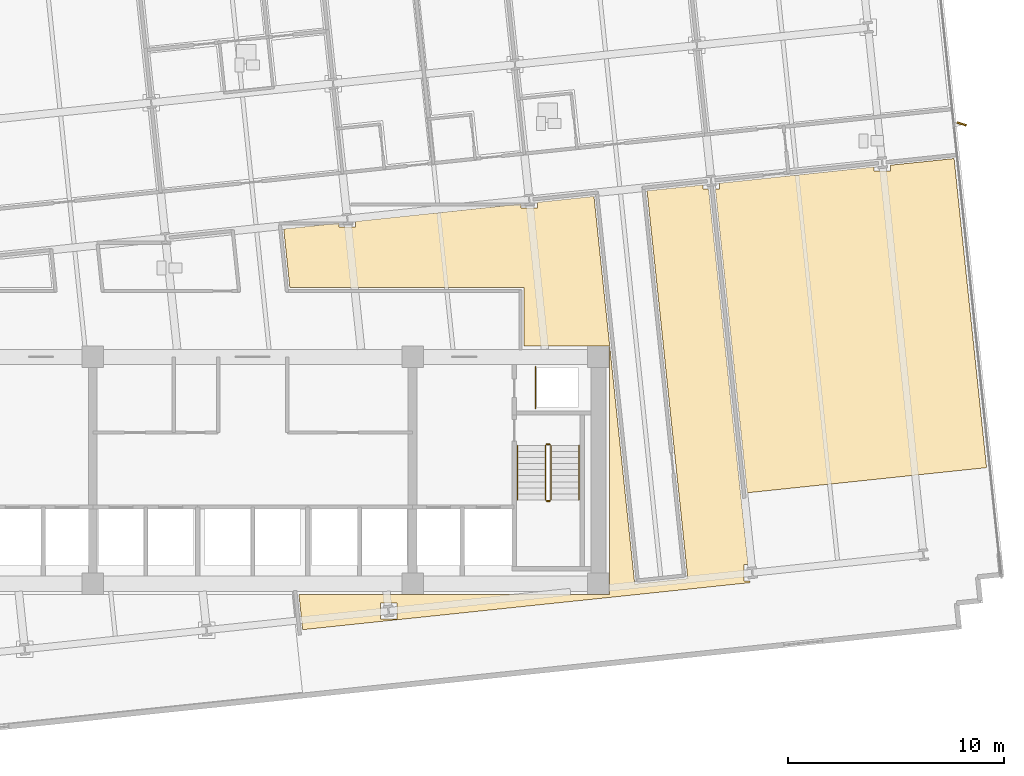
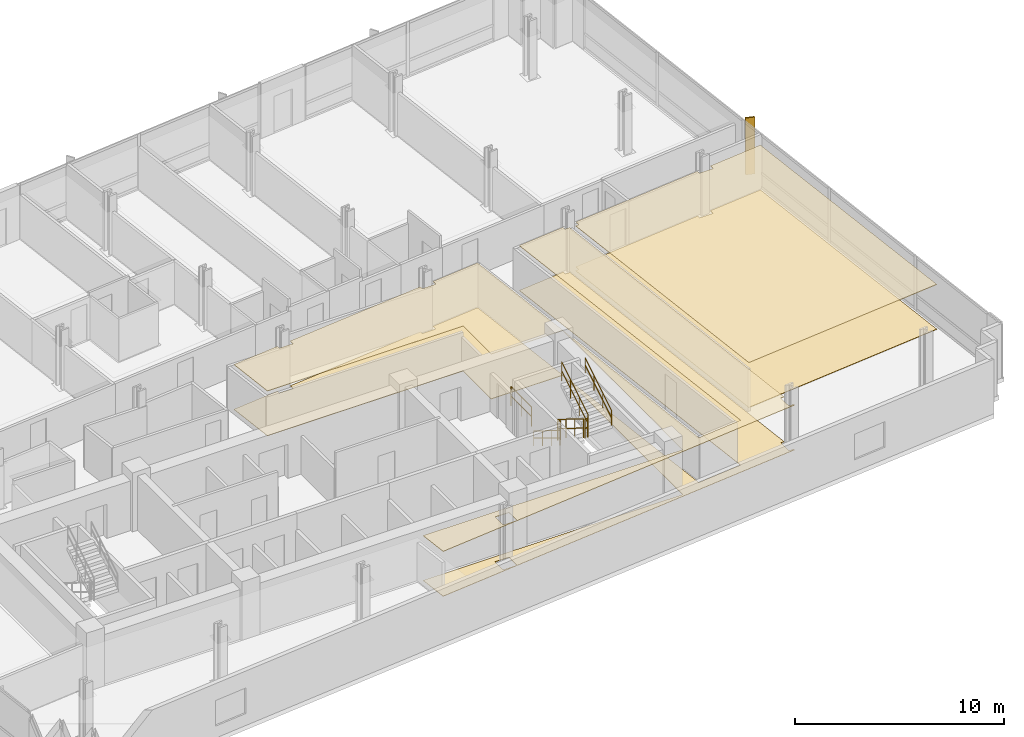
# One storey, part 15 of 17: 7 railings, 4 coverings, 1 shading device.
"""IFC4 building model written with IfcOpenShell, lengths in metres."""

from ifc_helpers import new_model, si_unit, direction, frame, origin, origin_2d, place, context, subcontext, project, spatial, polyline, rectangle, circle, outline, extrude, material, layer, layer_set, type_object, element, save


model = new_model("IFC4")

# Units and contexts
model_context = context("Model", 3, precision=1e-05, world=origin(), true_north=direction((0.0, 1.0)))
body_context = subcontext(model_context, "Body", "Model", "MODEL_VIEW")
ifc_project = project(units=[si_unit("LENGTHUNIT", "METRE"), si_unit("AREAUNIT", "SQUARE_METRE"), si_unit("VOLUMEUNIT", "CUBIC_METRE"), si_unit("PLANEANGLEUNIT", "RADIAN"), si_unit("MASSUNIT", "GRAM", prefix="KILO")], contexts=[model_context])

# Site, building, storey
site_placement = place(None, origin())
site = spatial("IfcSite", under=ifc_project, at=site_placement, CompositionType="ELEMENT")
building_placement = place(site_placement, origin())
building = spatial("IfcBuilding", under=site, at=building_placement, Name="Solmavex Isthmus Hotel", CompositionType="ELEMENT")
storey_placement = place(building_placement, frame((0.0, 0.0, 90.449951171875)))
storey = spatial("IfcBuildingStorey", under=building, at=storey_placement, Name="L24", CompositionType="ELEMENT", Elevation=90.449951171875)

# Coverings
ifc_material_1 = material(Name="Gypsum plasterboard lining", Category="gypsum")
ifc_layer_1 = layer(ifc_material_1, 0.030029296875)
ifc_layer_set_1 = layer_set([ifc_layer_1], Name="Gypsum plasterboard lining")
covering_type_1 = type_object("IfcCoveringType", Name="COV-CEIL-GYP", PredefinedType="CEILING", material=ifc_layer_set_1)
covering_1_placement = place(storey_placement, frame((0.0, 0.0, 2.6201171875)))
element("IfcCovering", 1, at=covering_1_placement, inside=storey, type_object=covering_type_1, Name="Suspended Acoustic Ceiling L24-FL12", PredefinedType="CEILING", context=body_context, shape_type="SweptSolid", body=[
    extrude(outline(polyline([(4.760498046875, 3.7724609375), (4.760498046875, 3.508544921875), (4.00048828125, 3.508544921875), (4.00048828125, 3.692626953125), (1.43505859375, 3.423095703125), (1.720703125, 0.705078125), (12.554931640625, 0.705078125), (12.554931640625, -1.9951171875), (16.5048828125, -1.9951171875), (16.5048828125, -13.5048828125), (2.141357421875, -13.5048828125), (2.311767578125, -15.126953125), (23.019775390625, -12.950439453125), (23.011474609375, -12.87158203125), (22.747314453125, -12.87158203125), (22.747314453125, -12.111572265625), (22.931640625, -12.111572265625), (21.103759765625, 5.2783203125), (20.83984375, 5.2783203125), (20.83984375, 5.462646484375), (18.25439453125, 5.19091796875), (20.14111328125, -12.76025390625), (17.6845703125, -13.0185546875), (15.7978515625, 4.9326171875), (13.18017578125, 4.657470703125), (13.18017578125, 4.393310546875), (12.420166015625, 4.393310546875), (12.420166015625, 4.57763671875), (4.760498046875, 3.7724609375)]), holes=[polyline([(5.908203125, -14.6416015625), (5.908203125, -13.881591796875), (6.668212890625, -13.881591796875), (6.668212890625, -14.6416015625), (5.908203125, -14.6416015625)])]), origin(), (0.0, 0.0, 1.0), 0.030029296875),
])
covering_2_placement = place(storey_placement, frame((0.0, 0.0, 2.6201171875)))
element("IfcCovering", 2, at=covering_2_placement, inside=storey, type_object=covering_type_1, Name="Suspended Acoustic Ceiling L24-FL13", PredefinedType="CEILING", context=body_context, shape_type="SweptSolid", body=[
    extrude(outline(polyline([(29.524169921875, 6.375244140625), (29.524169921875, 6.111328125), (28.76416015625, 6.111328125), (28.76416015625, 6.29541015625), (24.816162109375, 5.880615234375), (21.599609375, 5.54248046875), (21.599609375, 5.2783203125), (21.41552734375, 5.2783203125), (22.894287109375, -8.790771484375), (33.97119140625, -7.62646484375), (32.467041015625, 6.6845703125), (29.524169921875, 6.375244140625)])), origin(), (0.0, 0.0, 1.0), 0.030029296875),
])
ifc_material_2 = material(Name="Travertine natural stone", Category="masonry")
ifc_layer_2 = layer(ifc_material_2, 0.02490234375)
ifc_layer_set_2 = layer_set([ifc_layer_2], Name="Travertine natural stone")
covering_type_2 = type_object("IfcCoveringType", Name="COV-FLOR-STN", PredefinedType="FLOORING", material=ifc_layer_set_2)
covering_3_placement = place(storey_placement, origin())
element("IfcCovering", 3, at=covering_3_placement, inside=storey, type_object=covering_type_2, Name="Stone and Timber Floor Finish L24-FL12", PredefinedType="FLOORING", context=body_context, shape_type="SweptSolid", body=[
    extrude(outline(polyline([(4.760498046875, 3.7724609375), (4.760498046875, 3.508544921875), (4.00048828125, 3.508544921875), (4.00048828125, 3.692626953125), (1.43505859375, 3.423095703125), (1.720703125, 0.705078125), (12.554931640625, 0.705078125), (12.554931640625, -1.9951171875), (16.5048828125, -1.9951171875), (16.5048828125, -13.5048828125), (2.141357421875, -13.5048828125), (2.311767578125, -15.126953125), (23.019775390625, -12.950439453125), (23.011474609375, -12.87158203125), (22.747314453125, -12.87158203125), (22.747314453125, -12.111572265625), (22.931640625, -12.111572265625), (21.103759765625, 5.2783203125), (20.83984375, 5.2783203125), (20.83984375, 5.462646484375), (18.25439453125, 5.19091796875), (20.14111328125, -12.76025390625), (17.6845703125, -13.0185546875), (15.7978515625, 4.9326171875), (13.18017578125, 4.657470703125), (13.18017578125, 4.393310546875), (12.420166015625, 4.393310546875), (12.420166015625, 4.57763671875), (4.760498046875, 3.7724609375)]), holes=[polyline([(5.908203125, -14.6416015625), (5.908203125, -13.881591796875), (6.668212890625, -13.881591796875), (6.668212890625, -14.6416015625), (5.908203125, -14.6416015625)])]), origin(), (0.0, 0.0, 1.0), 0.025146484375),
])
covering_4_placement = place(storey_placement, origin())
element("IfcCovering", 4, at=covering_4_placement, inside=storey, type_object=covering_type_2, Name="Stone and Timber Floor Finish L24-FL13", PredefinedType="FLOORING", context=body_context, shape_type="SweptSolid", body=[
    extrude(outline(polyline([(29.524169921875, 6.375244140625), (29.524169921875, 6.111328125), (28.76416015625, 6.111328125), (28.76416015625, 6.29541015625), (24.816162109375, 5.880615234375), (21.599609375, 5.54248046875), (21.599609375, 5.2783203125), (21.41552734375, 5.2783203125), (22.894287109375, -8.790771484375), (33.97119140625, -7.62646484375), (32.467041015625, 6.6845703125), (29.524169921875, 6.375244140625)])), origin(), (0.0, 0.0, 1.0), 0.025146484375),
])

# Railings
ifc_material_3 = material(Name="Clear low-E laminated glass", Category="glass")
ifc_layer_3 = layer(ifc_material_3, 0.080078125)
ifc_layer_set_3 = layer_set([ifc_layer_3], Name="Clear low-E laminated glass")
railing_type_1 = type_object("IfcRailingType", Name="RAIL-ATRIUM-1120", PredefinedType="BALUSTRADE", material=ifc_layer_set_3)
railing_1_placement = place(storey_placement, frame((13.10009765625, -4.89990234375, 0.0)))
element("IfcRailing", 5, at=railing_1_placement, inside=storey, type_object=railing_type_1, Name="Guardrail Balustrade L24-RSE-01", PredefinedType="BALUSTRADE", context=body_context, shape_type="SweptSolid", body=[
    extrude(circle(Radius=0.02392578125, at=origin_2d()), frame((0.0, 0.0, 1.1259765625), z_axis=(0.0, 1.0, 0.0), x_axis=(-1.0, 0.0, 0.0)), (0.0, 0.0, 1.0), 1.949951171875),
    extrude(circle(Radius=0.02392578125, at=origin_2d()), frame((0.0, 0.0, 0.574951171875), z_axis=(0.0, 1.0, 0.0), x_axis=(-1.0, 0.0, 0.0)), (0.0, 0.0, 1.0), 1.949951171875),
    extrude(circle(Radius=0.02099609375, at=origin_2d()), origin(), (0.0, 0.0, 1.0), 1.101806640625),
    extrude(circle(Radius=0.02099609375, at=origin_2d()), frame((0.0, 0.97509765625, 0.0)), (0.0, 0.0, 1.0), 1.101806640625),
    extrude(circle(Radius=0.02099609375, at=origin_2d()), frame((0.0, 1.949951171875, 0.0)), (0.0, 0.0, 1.0), 1.101806640625),
])
ifc_material_4 = material(Name="Stainless steel 316", Category="steel")
ifc_layer_4 = layer(ifc_material_4, 0.06005859375)
ifc_layer_set_4 = layer_set([ifc_layer_4], Name="Stainless steel 316")
railing_type_2 = type_object("IfcRailingType", Name="RAIL-STAIR-GD", PredefinedType="GUARDRAIL", material=ifc_layer_set_4)
railing_2_placement = place(storey_placement, frame((13.550048828125, -6.60009765625, 0.172607421875)))
element("IfcRailing", 6, at=railing_2_placement, inside=storey, type_object=railing_type_2, Name="L24 ST-2 stair guard 1", PredefinedType="GUARDRAIL", context=body_context, shape_type="SweptSolid", body=[
    extrude(circle(Radius=0.02392578125, at=origin_2d()), frame((0.0, 0.0, 1.09619140625), z_axis=(0.0, -0.851400495292, 0.524516154772), x_axis=(1.0, 0.0, 0.0)), (0.0, 0.0, 1.0), 2.9599609375),
    extrude(circle(Radius=0.02392578125, at=origin_2d()), frame((0.0, 0.0, 0.56005859375), z_axis=(0.0, -0.851400495292, 0.524516154772), x_axis=(1.0, 0.0, 0.0)), (0.0, 0.0, 1.0), 2.9599609375),
    extrude(circle(Radius=0.02099609375, at=origin_2d()), origin(), (0.0, 0.0, 1.0), 1.072021484375),
    extrude(circle(Radius=0.02099609375, at=origin_2d()), frame((0.0, -0.840087890625, 0.517578125)), (0.0, 0.0, 1.0), 1.072021484375),
    extrude(circle(Radius=0.02099609375, at=origin_2d()), frame((0.0, -1.679931640625, 1.034912109375)), (0.0, 0.0, 1.0), 1.072021484375),
    extrude(circle(Radius=0.02099609375, at=origin_2d()), frame((0.0, -2.52001953125, 1.552490234375)), (0.0, 0.0, 1.0), 1.072021484375),
])
railing_3_placement = place(storey_placement, frame((13.60009765625, -9.169921875, 1.72509765625)))
element("IfcRailing", 7, at=railing_3_placement, inside=storey, type_object=railing_type_2, Name="L24 ST-2 stair guard 2", PredefinedType="GUARDRAIL", context=body_context, shape_type="SweptSolid", body=[
    extrude(circle(Radius=0.02392578125, at=origin_2d()), frame((0.0, 0.0, 1.09619140625), z_axis=(1.0, 0.0, 0.0), x_axis=(0.0, 1.0, 0.0)), (0.0, 0.0, 1.0), 0.14990234375),
    extrude(circle(Radius=0.02392578125, at=origin_2d()), frame((0.0, 0.0, 0.56005859375), z_axis=(1.0, 0.0, 0.0), x_axis=(0.0, 1.0, 0.0)), (0.0, 0.0, 1.0), 0.14990234375),
    extrude(circle(Radius=0.02099609375, at=origin_2d()), origin(), (0.0, 0.0, 1.0), 1.072021484375),
    extrude(circle(Radius=0.02099609375, at=origin_2d()), frame((0.14990234375, 0.0, 0.0)), (0.0, 0.0, 1.0), 1.072021484375),
])
railing_4_placement = place(storey_placement, frame((13.800048828125, -9.1201171875, 1.8974609375)))
element("IfcRailing", 8, at=railing_4_placement, inside=storey, type_object=railing_type_2, Name="L24 ST-2 stair guard 3", PredefinedType="GUARDRAIL", context=body_context, shape_type="SweptSolid", body=[
    extrude(circle(Radius=0.02392578125, at=origin_2d()), frame((0.0, 0.0, 1.09619140625), z_axis=(0.0, 0.851400495292, 0.524516154772), x_axis=(-1.0, 0.0, 0.0)), (0.0, 0.0, 1.0), 2.9599609375),
    extrude(circle(Radius=0.02392578125, at=origin_2d()), frame((0.0, 0.0, 0.56005859375), z_axis=(0.0, 0.851400495292, 0.524516154772), x_axis=(-1.0, 0.0, 0.0)), (0.0, 0.0, 1.0), 2.9599609375),
    extrude(circle(Radius=0.02099609375, at=origin_2d()), origin(), (0.0, 0.0, 1.0), 1.072021484375),
    extrude(circle(Radius=0.02099609375, at=origin_2d()), frame((0.0, 0.840087890625, 0.517578125)), (0.0, 0.0, 1.0), 1.072021484375),
    extrude(circle(Radius=0.02099609375, at=origin_2d()), frame((0.0, 1.679931640625, 1.034912109375)), (0.0, 0.0, 1.0), 1.072021484375),
    extrude(circle(Radius=0.02099609375, at=origin_2d()), frame((0.0, 2.52001953125, 1.552490234375)), (0.0, 0.0, 1.0), 1.072021484375),
])
railing_5_placement = place(storey_placement, frame((13.60009765625, -6.550048828125, 0.0)))
element("IfcRailing", 9, at=railing_5_placement, inside=storey, type_object=railing_type_2, Name="L24 ST-2 stair guard 4", PredefinedType="GUARDRAIL", context=body_context, shape_type="SweptSolid", body=[
    extrude(circle(Radius=0.02392578125, at=origin_2d()), frame((0.0, 0.0, 1.09619140625), z_axis=(1.0, 0.0, 0.0), x_axis=(0.0, 1.0, 0.0)), (0.0, 0.0, 1.0), 0.14990234375),
    extrude(circle(Radius=0.02392578125, at=origin_2d()), frame((0.0, 0.0, 0.56005859375), z_axis=(1.0, 0.0, 0.0), x_axis=(0.0, 1.0, 0.0)), (0.0, 0.0, 1.0), 0.14990234375),
    extrude(circle(Radius=0.02099609375, at=origin_2d()), origin(), (0.0, 0.0, 1.0), 1.072021484375),
    extrude(circle(Radius=0.02099609375, at=origin_2d()), frame((0.14990234375, 0.0, 0.0)), (0.0, 0.0, 1.0), 1.072021484375),
])
ifc_layer_5 = layer(ifc_material_4, 0.050048828125)
ifc_layer_set_5 = layer_set([ifc_layer_5], Name="Stainless steel 316")
railing_type_3 = type_object("IfcRailingType", Name="RAIL-STAIR-HR", PredefinedType="HANDRAIL", material=ifc_layer_set_5)
railing_6_placement = place(storey_placement, frame((12.25, -6.60009765625, 0.172607421875)))
element("IfcRailing", 10, at=railing_6_placement, inside=storey, type_object=railing_type_3, Name="L24 ST-2 stair handrail 1", PredefinedType="HANDRAIL", context=body_context, shape_type="SweptSolid", body=[
    extrude(circle(Radius=0.02392578125, at=origin_2d()), frame((0.0, 0.0, 0.8759765625), z_axis=(0.0, -0.851400495292, 0.524516154772), x_axis=(1.0, 0.0, 0.0)), (0.0, 0.0, 1.0), 2.9599609375),
    extrude(circle(Radius=0.02392578125, at=origin_2d()), frame((0.0, 0.0, 0.449951171875), z_axis=(0.0, -0.851400495292, 0.524516154772), x_axis=(1.0, 0.0, 0.0)), (0.0, 0.0, 1.0), 2.9599609375),
    extrude(circle(Radius=0.02099609375, at=origin_2d()), origin(), (0.0, 0.0, 1.0), 0.851806640625),
    extrude(circle(Radius=0.02099609375, at=origin_2d()), frame((0.0, -0.840087890625, 0.517578125)), (0.0, 0.0, 1.0), 0.851806640625),
    extrude(circle(Radius=0.02099609375, at=origin_2d()), frame((0.0, -1.679931640625, 1.034912109375)), (0.0, 0.0, 1.0), 0.851806640625),
    extrude(circle(Radius=0.02099609375, at=origin_2d()), frame((0.0, -2.52001953125, 1.552490234375)), (0.0, 0.0, 1.0), 0.851806640625),
])
railing_7_placement = place(storey_placement, frame((15.10009765625, -9.1201171875, 1.8974609375)))
element("IfcRailing", 11, at=railing_7_placement, inside=storey, type_object=railing_type_3, Name="L24 ST-2 stair handrail 2", PredefinedType="HANDRAIL", context=body_context, shape_type="SweptSolid", body=[
    extrude(circle(Radius=0.02392578125, at=origin_2d()), frame((0.0, 0.0, 0.8759765625), z_axis=(0.0, 0.851400495292, 0.524516154772), x_axis=(-1.0, 0.0, 0.0)), (0.0, 0.0, 1.0), 2.9599609375),
    extrude(circle(Radius=0.02392578125, at=origin_2d()), frame((0.0, 0.0, 0.449951171875), z_axis=(0.0, 0.851400495292, 0.524516154772), x_axis=(-1.0, 0.0, 0.0)), (0.0, 0.0, 1.0), 2.9599609375),
    extrude(circle(Radius=0.02099609375, at=origin_2d()), origin(), (0.0, 0.0, 1.0), 0.851806640625),
    extrude(circle(Radius=0.02099609375, at=origin_2d()), frame((0.0, 0.840087890625, 0.517578125)), (0.0, 0.0, 1.0), 0.851806640625),
    extrude(circle(Radius=0.02099609375, at=origin_2d()), frame((0.0, 1.679931640625, 1.034912109375)), (0.0, 0.0, 1.0), 0.851806640625),
    extrude(circle(Radius=0.02099609375, at=origin_2d()), frame((0.0, 2.52001953125, 1.552490234375)), (0.0, 0.0, 1.0), 0.851806640625),
])

# Shading device
ifc_material_5 = material(Name="Aluminium alloy 6063-T6", Category="aluminium")
shading_device_type = type_object("IfcShadingDeviceType", Name="SHD-FIN-BRONZE", PredefinedType="USERDEFINED", material=ifc_material_5)
shading_device_placement = place(storey_placement, frame((32.816650390625, 8.284912109375, -0.139892578125), z_axis=(0.0, 0.0, 1.0), x_axis=(0.951056516295, -0.309016994375, 0.0)))
element("IfcShadingDevice", 12, at=shading_device_placement, inside=storey, type_object=shading_device_type, Name="Anodised Aluminium Solar Fin L24-E1", ObjectType="SOLAR_FIN", PredefinedType="USERDEFINED", context=body_context, shape_type="SweptSolid", body=[
    extrude(rectangle(XDim=0.449951171875, YDim=0.080078125, at=origin_2d()), origin(), (0.0, 0.0, 1.0), 3.330078125),
])

save(model, "model.ifc")
